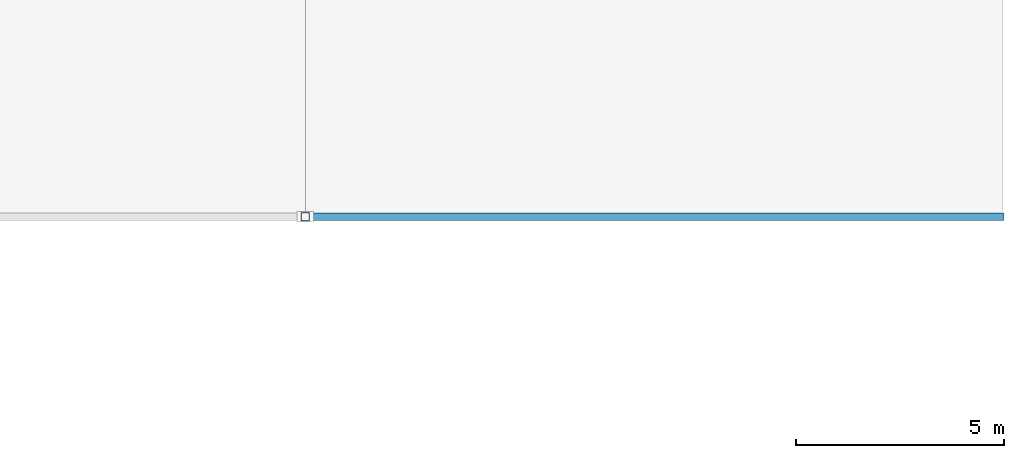
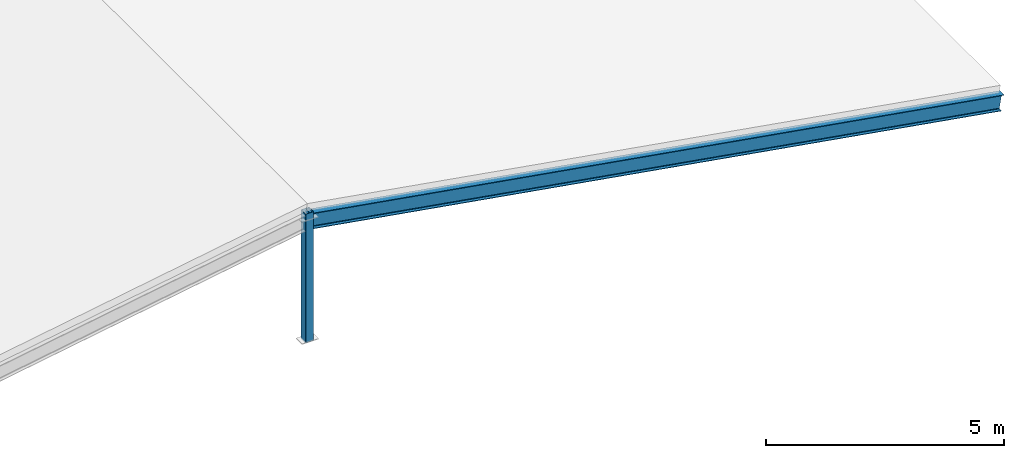
# One storey, part 9 of 31: 1 beam, 1 member.
"""IFC4 building model written with IfcOpenShell, lengths in metres."""

from ifc_helpers import new_model, si_unit, direction, frame, origin, origin_2d, place, context, subcontext, project, spatial, hollow_rectangle, i_section, extrude, material, material_profile, profile_set, type_object, element, save


model = new_model("IFC4")

# Units and contexts
model_context = context("Model", 3, precision=1e-05, world=origin(), true_north=direction((0.0, 1.0)))
body_context = subcontext(model_context, "Body", "Model", "MODEL_VIEW")
ifc_project = project(units=[si_unit("LENGTHUNIT", "METRE"), si_unit("AREAUNIT", "SQUARE_METRE"), si_unit("VOLUMEUNIT", "CUBIC_METRE"), si_unit("PLANEANGLEUNIT", "RADIAN"), si_unit("MASSUNIT", "GRAM", prefix="KILO")], contexts=[model_context])

# Site, building, storey
site_placement = place(None, origin())
site = spatial("IfcSite", under=ifc_project, at=site_placement, CompositionType="ELEMENT")
building_placement = place(site_placement, origin())
building = spatial("IfcBuilding", under=site, at=building_placement, Name="Varnapada Polytechnic", CompositionType="ELEMENT")
storey_placement = place(building_placement, frame((0.0, 0.0, 22.199951171875)))
storey = spatial("IfcBuildingStorey", under=building, at=storey_placement, Name="L05", CompositionType="ELEMENT", Elevation=22.199951171875)

# Beam
ifc_material = material(Name="Steel S355", Category="steel")
ifc_material_profile_1 = material_profile(ifc_material, i_section(OverallWidth=0.179931640625, OverallDepth=0.39990234375, WebThickness=0.008544921875, FlangeThickness=0.013427734375, FilletRadius=0.02099609375, at=origin_2d()), Name="IPE 400")
ifc_profile_set_1 = profile_set([ifc_material_profile_1], Name="Steel S355")
beam_type = type_object("IfcBeamType", Name="Library hipped roof rafter SB-06 (IPE 400)", PredefinedType="BEAM", material=ifc_profile_set_1)
beam_placement = place(storey_placement, frame((176.39990234375, 67.199951171875, 0.2099609375), z_axis=(-0.986009413701, 0.0, 0.166689640028), x_axis=(0.0, -1.0, 0.0)))
element("IfcBeam", 1, at=beam_placement, inside=storey, type_object=beam_type, Name="Library east pitched rafter Y9", PredefinedType="BEAM", context=body_context, shape_type="SweptSolid", body=[
    extrude(i_section(OverallWidth=0.179931640625, OverallDepth=0.39990234375, WebThickness=0.008544921875, FlangeThickness=0.013427734375, FilletRadius=0.02099609375, at=origin_2d()), origin(), (0.0, 0.0, 1.0), 17.0380859375),
])

# Member
ifc_material_profile_2 = material_profile(ifc_material, hollow_rectangle(XDim=0.199951171875, YDim=0.199951171875, WallThickness=0.008056640625, InnerFilletRadius=0.008056640625, OuterFilletRadius=0.01611328125, at=origin_2d()), Name="SHS 200x200x8")
ifc_profile_set_2 = profile_set([ifc_material_profile_2], Name="Steel S355")
member_type = type_object("IfcMemberType", Name="Roof clerestory king post SFP-01 (SHS 200x200x8)", PredefinedType="POST", material=ifc_profile_set_2)
member_placement = place(storey_placement, frame((159.60009765625, 67.199951171875, -0.02001953125), z_axis=(0.0, 0.0, 1.0), x_axis=(1.0, 0.0, 0.0)))
element("IfcMember", 2, at=member_placement, inside=storey, type_object=member_type, Name="Library ridge strut Y9", PredefinedType="POST", context=body_context, shape_type="SweptSolid", body=[
    extrude(hollow_rectangle(XDim=0.199951171875, YDim=0.199951171875, WallThickness=0.008056640625, InnerFilletRadius=0.008056640625, OuterFilletRadius=0.01611328125, at=origin_2d()), origin(), (0.0, 0.0, 1.0), 3.300048828125),
])

save(model, "model.ifc")
